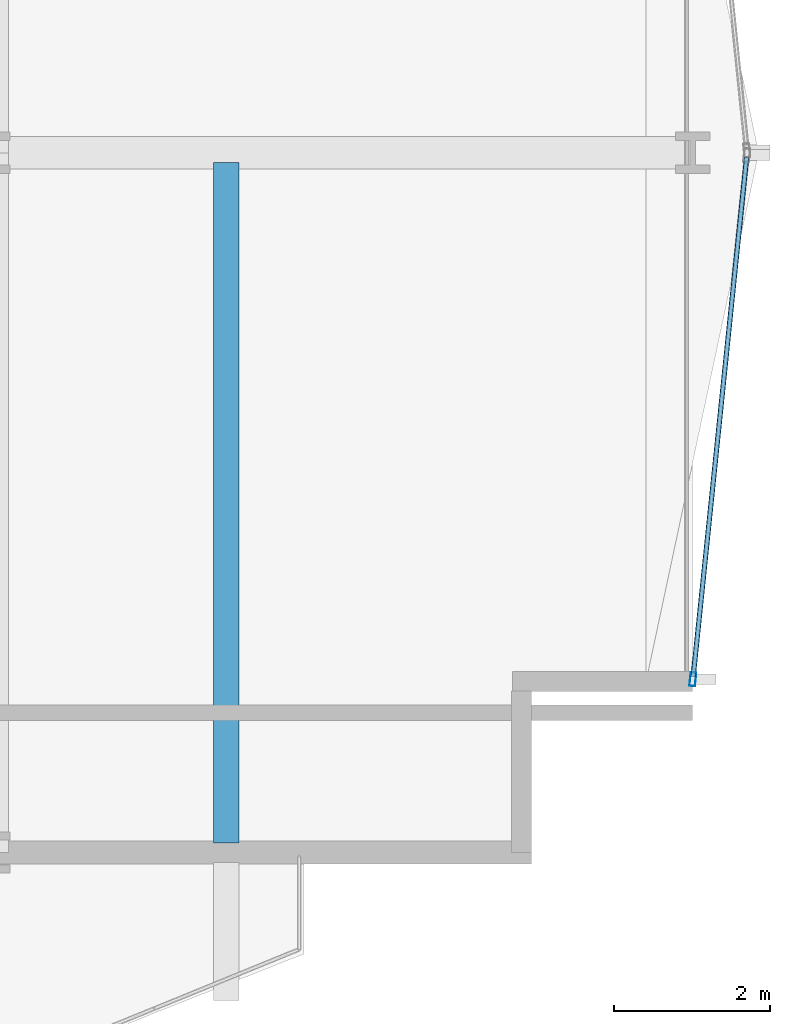
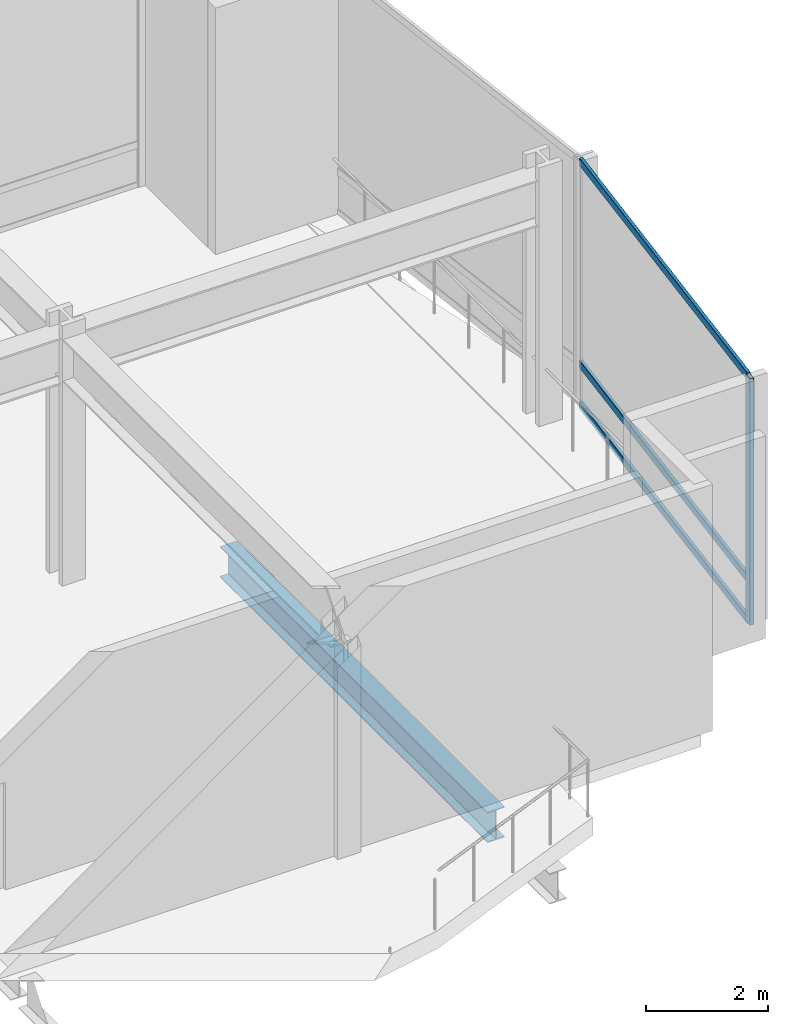
# One storey, part 11 of 37: 4 members, 1 beam, 1 element without a shape of its own.
"""IFC4 building model written with IfcOpenShell, lengths in metres."""

from ifc_helpers import new_model, si_unit, direction, frame, origin, origin_2d, place, context, subcontext, project, spatial, hollow_rectangle, i_section, extrude, material, layer, layer_set, material_profile, profile_set, type_object, element, aggregate, save


model = new_model("IFC4")

# Units and contexts
model_context = context("Model", 3, precision=1e-05, world=origin(), true_north=direction((0.0, 1.0)))
body_context = subcontext(model_context, "Body", "Model", "MODEL_VIEW")
ifc_project = project(units=[si_unit("LENGTHUNIT", "METRE"), si_unit("AREAUNIT", "SQUARE_METRE"), si_unit("VOLUMEUNIT", "CUBIC_METRE"), si_unit("PLANEANGLEUNIT", "RADIAN"), si_unit("MASSUNIT", "GRAM", prefix="KILO")], contexts=[model_context])

# Site, building, storey
site_placement = place(None, origin())
site = spatial("IfcSite", under=ifc_project, at=site_placement, CompositionType="ELEMENT")
building_placement = place(site_placement, origin())
building = spatial("IfcBuilding", under=site, at=building_placement, Name="Solvaryn Broadcast Tower", CompositionType="ELEMENT")
storey_placement = place(building_placement, frame((0.0, 0.0, 30.800048828125)))
storey = spatial("IfcBuildingStorey", under=building, at=storey_placement, Name="L06", CompositionType="ELEMENT", Elevation=30.800048828125)

# Beam
ifc_material_1 = material(Name="Steel ASTM A992 Grade 50", Category="steel")
ifc_material_profile_1 = material_profile(ifc_material_1, i_section(OverallWidth=0.323974609375, OverallDepth=0.611083984375, WebThickness=0.0126953125, FlangeThickness=0.01904296875, FilletRadius=0.014892578125, at=origin_2d()))
ifc_profile_set_1 = profile_set([ifc_material_profile_1], Name="Steel ASTM A992 Grade 50")
beam_type = type_object("IfcBeamType", Name="BM-B1-W24X104", PredefinedType="BEAM", material=ifc_profile_set_1)
beam_placement = place(storey_placement, frame((57.0, 17.875, -0.66552734375), z_axis=(0.0, -1.0, 0.0), x_axis=(1.0, 0.0, 0.0)))
element("IfcBeam", 1, at=beam_placement, inside=storey, type_object=beam_type, Name="L06 Terrace Back-Span Beam X57.0", PredefinedType="BEAM", context=body_context, shape_type="SweptSolid", body=[
    extrude(i_section(OverallWidth=0.323974609375, OverallDepth=0.611083984375, WebThickness=0.0126953125, FlangeThickness=0.01904296875, FilletRadius=0.014892578125, at=origin_2d()), origin(), (0.0, 0.0, 1.0), 8.75),
])

# Curtain wall, members
ifc_material_2 = material(Name="Aluminium and Terracotta Unitised Curtain Wall", Category="masonry")
ifc_layer = layer(ifc_material_2, 0.199951171875)
ifc_layer_set = layer_set([ifc_layer], Name="CW-SYS2-LOWMID")
curtain_wall_type = type_object("IfcCurtainWallType", Name="CW-SYS2-LOWMID", PredefinedType="NOTDEFINED", material=ifc_layer_set)
curtain_wall_placement = place(storey_placement, origin())
curtain_wall = element("IfcCurtainWall", 2, at=curtain_wall_placement, inside=storey, type_object=curtain_wall_type, Name="L06 Curtain Wall ET2", PredefinedType="NOTDEFINED")
ifc_material_3 = material(Name="Anodised Aluminium 6063-T6", Category="aluminium")
ifc_material_profile_2 = material_profile(ifc_material_3, hollow_rectangle(XDim=0.074951171875, YDim=0.179931640625, WallThickness=0.00390625, InnerFilletRadius=0.00390625, OuterFilletRadius=0.008056640625, at=origin_2d()))
ifc_profile_set_2 = profile_set([ifc_material_profile_2], Name="Anodised Aluminium 6063-T6")
member_type_1 = type_object("IfcMemberType", Name="CW-MUL-180", PredefinedType="MULLION", material=ifc_profile_set_2)
member_1_placement = place(storey_placement, frame((63.003173828125, 11.229736328125, 0.0), z_axis=(0.0, 0.0, 1.0), x_axis=(0.99474329889, -0.10240004548, 0.0)))
member_1 = element("IfcMember", 3, at=member_1_placement, type_object=member_type_1, Name="CWS2 mullion 2", PredefinedType="MULLION", context=body_context, shape_type="SweptSolid", body=[
    extrude(hollow_rectangle(XDim=0.074951171875, YDim=0.179931640625, WallThickness=0.00390625, InnerFilletRadius=0.00390625, OuterFilletRadius=0.008056640625, at=origin_2d()), origin(), (0.0, 0.0, 1.0), 4.919921875),
])
ifc_material_4 = material(Name="Anodised Aluminium 6063-T6", Category="aluminium")
ifc_material_profile_3 = material_profile(ifc_material_4, hollow_rectangle(XDim=0.06494140625, YDim=0.14990234375, WallThickness=0.00390625, InnerFilletRadius=0.00390625, OuterFilletRadius=0.008056640625, at=origin_2d()))
ifc_profile_set_3 = profile_set([ifc_material_profile_3], Name="Anodised Aluminium 6063-T6")
member_type_2 = type_object("IfcMemberType", Name="CW-TRN-150", PredefinedType="USERDEFINED", material=ifc_profile_set_3)
member_2_placement = place(storey_placement, frame((63.69384765625, 17.9404296875, 0.030029296875), z_axis=(-0.102404277363, -0.994742863245, 0.0), x_axis=(0.994742863245, -0.102404277363, 0.0)))
member_2 = element("IfcMember", 4, at=member_2_placement, type_object=member_type_2, Name="CWS2 transom 1.1", ObjectType="TRANSOM", PredefinedType="USERDEFINED", context=body_context, shape_type="SweptSolid", body=[
    extrude(hollow_rectangle(XDim=0.06494140625, YDim=0.14990234375, WallThickness=0.00390625, InnerFilletRadius=0.00390625, OuterFilletRadius=0.008056640625, at=origin_2d()), origin(), (0.0, 0.0, 1.0), 6.716064453125),
])
member_3_placement = place(storey_placement, frame((63.69384765625, 17.9404296875, 0.849853515625), z_axis=(-0.102404277363, -0.994742863245, 0.0), x_axis=(0.994742863245, -0.102404277363, 0.0)))
member_3 = element("IfcMember", 5, at=member_3_placement, type_object=member_type_2, Name="CWS2 transom 1.2", ObjectType="TRANSOM", PredefinedType="USERDEFINED", context=body_context, shape_type="SweptSolid", body=[
    extrude(hollow_rectangle(XDim=0.06494140625, YDim=0.14990234375, WallThickness=0.00390625, InnerFilletRadius=0.00390625, OuterFilletRadius=0.008056640625, at=origin_2d()), origin(), (0.0, 0.0, 1.0), 6.716064453125),
])
member_4_placement = place(storey_placement, frame((63.69384765625, 17.9404296875, 4.889892578125), z_axis=(-0.102404277363, -0.994742863245, 0.0), x_axis=(0.994742863245, -0.102404277363, 0.0)))
member_4 = element("IfcMember", 6, at=member_4_placement, type_object=member_type_2, Name="CWS2 transom 1.3", ObjectType="TRANSOM", PredefinedType="USERDEFINED", context=body_context, shape_type="SweptSolid", body=[
    extrude(hollow_rectangle(XDim=0.06494140625, YDim=0.14990234375, WallThickness=0.00390625, InnerFilletRadius=0.00390625, OuterFilletRadius=0.008056640625, at=origin_2d()), origin(), (0.0, 0.0, 1.0), 6.716064453125),
])
aggregate(curtain_wall, [member_1, member_2, member_3, member_4])

save(model, "model.ifc")
